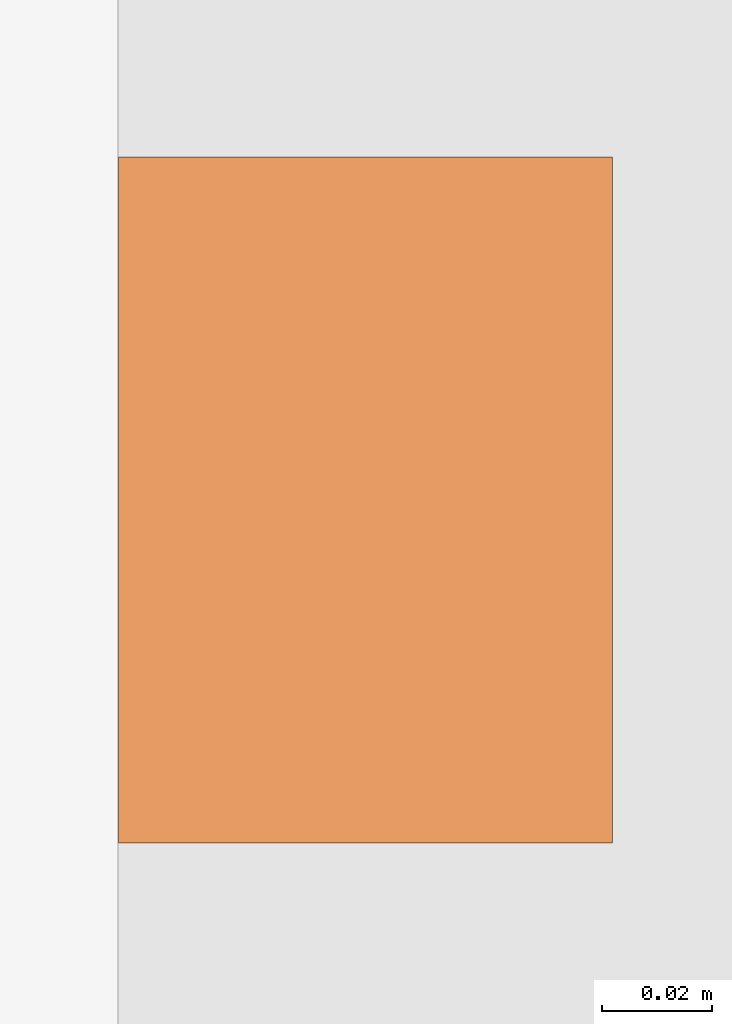
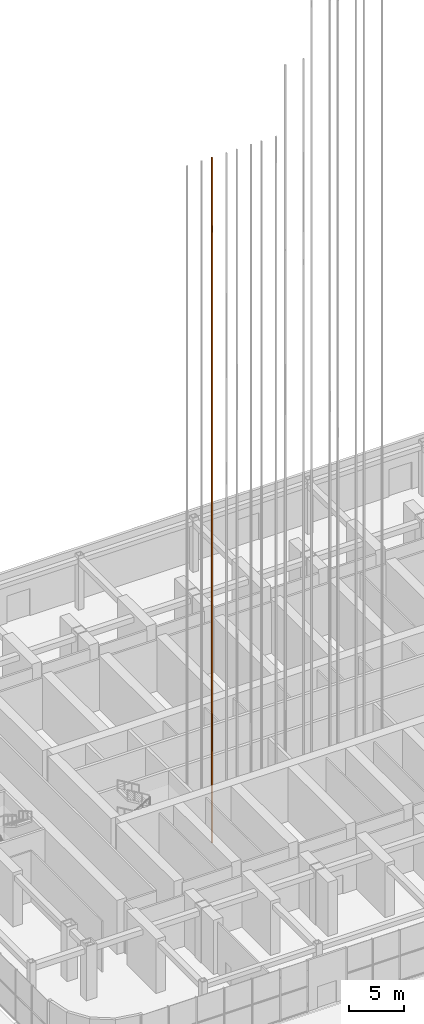
# One storey, part 44 of 57: 1 proxy.
"""IFC4 building model written with IfcOpenShell, lengths in metres."""

from ifc_helpers import new_model, si_unit, direction, frame, origin, origin_2d, place, context, subcontext, project, spatial, rectangle, extrude, material, element, save


model = new_model("IFC4")

# Units and contexts
model_context = context("Model", 3, precision=1e-05, world=origin(), true_north=direction((0.0, 1.0)))
body_context = subcontext(model_context, "Body", "Model", "MODEL_VIEW")
ifc_project = project(units=[si_unit("LENGTHUNIT", "METRE"), si_unit("AREAUNIT", "SQUARE_METRE"), si_unit("VOLUMEUNIT", "CUBIC_METRE"), si_unit("PLANEANGLEUNIT", "RADIAN"), si_unit("MASSUNIT", "GRAM", prefix="KILO")], contexts=[model_context])

# Site, building, storey
site_placement = place(None, origin())
site = spatial("IfcSite", under=ifc_project, at=site_placement, CompositionType="ELEMENT")
building_placement = place(site_placement, origin())
building = spatial("IfcBuilding", under=site, at=building_placement, Name="Orbita Commons", CompositionType="ELEMENT")
storey_placement = place(building_placement, origin())
storey = spatial("IfcBuildingStorey", under=building, at=storey_placement, Name="L00", CompositionType="ELEMENT", Elevation=0.0)

# Proxy
ifc_material = material(Name="Machined steel guide rail", Category="steel")
placement = place(storey_placement, frame((29.89990234375, 28.10009765625, 0.0), z_axis=(0.0, 0.0, 1.0), x_axis=(1.0, 0.0, 0.0)))
proxy_placement = place(placement, frame((-0.7548828125, 0.0, -1.800048828125)))
element("IfcBuildingElementProxy", 1, at=proxy_placement, inside=storey, material=ifc_material, Name="P12 guide rail 1", ObjectType="GUIDE RAIL", PredefinedType="USERDEFINED", context=body_context, shape_type="SweptSolid", body=[
    extrude(rectangle(XDim=0.09, YDim=0.125, at=origin_2d()), origin(), (0.0, 0.0, 1.0), 75.85009765625),
])

save(model, "model.ifc")
